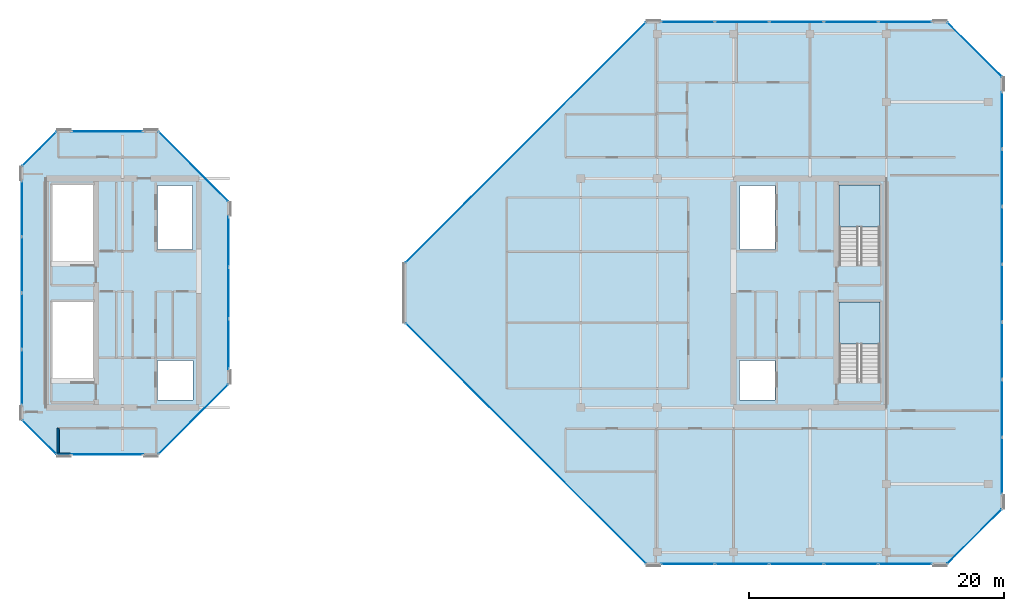
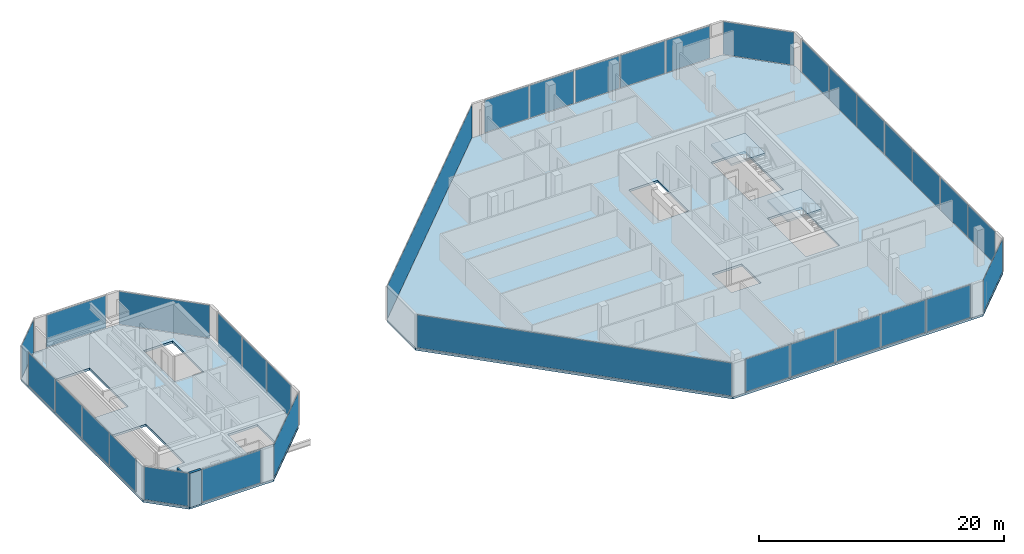
# One storey, part 22 of 28: 34 plates, 4 slabs, 2 walls, 17 elements without a shape of their own.
"""IFC4 building model written with IfcOpenShell, lengths in metres."""

from ifc_helpers import new_model, si_unit, direction, frame, frame_2d, origin, origin_2d, place, context, subcontext, project, spatial, polyline, rectangle, outline, extrude, material, layer, layer_set, type_object, element, aggregate, save


model = new_model("IFC4")

# Units and contexts
model_context = context("Model", 3, precision=1e-05, world=origin(), true_north=direction((0.0, 1.0)))
body_context = subcontext(model_context, "Body", "Model", "MODEL_VIEW")
ifc_project = project(units=[si_unit("LENGTHUNIT", "METRE"), si_unit("AREAUNIT", "SQUARE_METRE"), si_unit("VOLUMEUNIT", "CUBIC_METRE"), si_unit("PLANEANGLEUNIT", "RADIAN"), si_unit("MASSUNIT", "GRAM", prefix="KILO")], contexts=[model_context])

# Site, building, storey
site_placement = place(None, origin())
site = spatial("IfcSite", under=ifc_project, at=site_placement, CompositionType="ELEMENT")
building_placement = place(site_placement, origin())
building = spatial("IfcBuilding", under=site, at=building_placement, Name="Tanjung Sevakor Pilgrim Tower", CompositionType="ELEMENT")
storey_placement = place(building_placement, frame((0.0, 0.0, 257.070068359375)))
storey = spatial("IfcBuildingStorey", under=building, at=storey_placement, Name="L72", CompositionType="ELEMENT", Elevation=257.070068359375)

# Stair, slab
ifc_material_1 = material(Name="Concrete C40/50", Category="concrete")
stair_type = type_object("IfcStairType", Name="STAIR-ST-CR150", PredefinedType="HALF_TURN_STAIR", material=ifc_material_1)
stair_1_placement = place(storey_placement, origin())
stair_1 = element("IfcStair", 1, at=stair_1_placement, inside=storey, type_object=stair_type, Name="L72 East Core Exit Stair 1", PredefinedType="HALF_TURN_STAIR")
ifc_material_2 = material(Name="Concrete C40/50", Category="concrete")
ifc_layer_1 = layer(ifc_material_2, 0.199951171875)
ifc_layer_set_1 = layer_set([ifc_layer_1], Name="SL-LAND-200")
slab_type_1 = type_object("IfcSlabType", Name="SL-LAND-200", PredefinedType="LANDING", material=ifc_layer_set_1)
slab_1_placement = place(storey_placement, frame((0.0, 0.0, 1.614990234375)))
slab_1 = element("IfcSlab", 2, at=slab_1_placement, type_object=slab_type_1, Name="TS-E1 landing 1", PredefinedType="LANDING", context=body_context, shape_type="SweptSolid", body=[
    extrude(outline(polyline([(89.5, 29.60009765625), (89.5, 32.89990234375), (86.300048828125, 32.89990234375), (86.300048828125, 29.60009765625), (89.5, 29.60009765625)])), origin(), (0.0, 0.0, 1.0), 0.199951171875),
])
aggregate(stair_1, [slab_1])

stair_2_placement = place(storey_placement, origin())
stair_2 = element("IfcStair", 3, at=stair_2_placement, inside=storey, type_object=stair_type, Name="L72 East Core Exit Stair 2", PredefinedType="HALF_TURN_STAIR")
slab_2_placement = place(storey_placement, frame((0.0, 0.0, 1.614990234375)))
slab_2 = element("IfcSlab", 4, at=slab_2_placement, type_object=slab_type_1, Name="TS-E2 landing 1", PredefinedType="LANDING", context=body_context, shape_type="SweptSolid", body=[
    extrude(outline(polyline([(89.5, 38.800048828125), (89.5, 42.10009765625), (86.300048828125, 42.10009765625), (86.300048828125, 38.800048828125), (89.5, 38.800048828125)])), origin(), (0.0, 0.0, 1.0), 0.199951171875),
])
aggregate(stair_2, [slab_2])

# Slabs
ifc_material_3 = material(Name="Concrete C40/50", Category="concrete")
ifc_layer_2 = layer(ifc_material_3, 0.219970703125)
ifc_layer_set_2 = layer_set([ifc_layer_2], Name="SL-TWR-220")
slab_type_2 = type_object("IfcSlabType", Name="SL-TWR-220", PredefinedType="FLOOR", material=ifc_layer_set_2)
slab_3_placement = place(storey_placement, frame((0.0, 0.0, -0.219970703125)))
element("IfcSlab", 5, at=slab_3_placement, inside=storey, type_object=slab_type_2, Name="L72 Floor Slab WEST", PredefinedType="FLOOR", context=body_context, shape_type="SweptSolid", body=[
    extrude(outline(polyline([(24.846923828125, 20.8798828125), (32.802978515625, 20.8798828125), (38.3701171875, 26.447021484375), (38.3701171875, 40.753173828125), (32.802978515625, 46.320068359375), (24.846923828125, 46.320068359375), (22.080078125, 43.552978515625), (22.080078125, 23.64697265625), (24.846923828125, 20.8798828125)]), holes=[polyline([(27.699951171875, 26.60009765625), (27.699951171875, 32.89990234375), (24.5, 32.89990234375), (24.5, 26.60009765625), (27.699951171875, 26.60009765625)]), polyline([(27.699951171875, 35.800048828125), (27.699951171875, 42.10009765625), (24.5, 42.10009765625), (24.5, 35.800048828125), (27.699951171875, 35.800048828125)]), polyline([(32.75, 25.199951171875), (35.550048828125, 25.199951171875), (35.550048828125, 28.300048828125), (32.75, 28.300048828125), (32.75, 25.199951171875)]), polyline([(32.75, 37.0), (35.5, 37.0), (35.5, 42.050048828125), (32.75, 42.050048828125), (32.75, 37.0)])]), origin(), (0.0, 0.0, 1.0), 0.219970703125),
])
slab_4_placement = place(storey_placement, frame((0.0, 0.0, -0.219970703125)))
element("IfcSlab", 6, at=slab_4_placement, inside=storey, type_object=slab_type_2, Name="L72 Floor Slab EAST", PredefinedType="FLOOR", context=body_context, shape_type="SweptSolid", body=[
    extrude(outline(polyline([(71.14697265625, 12.280029296875), (94.753173828125, 12.280029296875), (99.1201171875, 16.64697265625), (99.1201171875, 50.552978515625), (94.753173828125, 54.919921875), (71.14697265625, 54.919921875), (52.179931640625, 35.953125), (52.179931640625, 31.246826171875), (71.14697265625, 12.280029296875)]), holes=[polyline([(89.5, 26.60009765625), (89.5, 32.89990234375), (86.300048828125, 32.89990234375), (86.300048828125, 26.60009765625), (89.5, 26.60009765625)]), polyline([(89.5, 35.800048828125), (89.5, 42.10009765625), (86.300048828125, 42.10009765625), (86.300048828125, 35.800048828125), (89.5, 35.800048828125)]), polyline([(78.449951171875, 25.199951171875), (81.25, 25.199951171875), (81.25, 28.300048828125), (78.449951171875, 28.300048828125), (78.449951171875, 25.199951171875)]), polyline([(78.5, 37.0), (81.25, 37.0), (81.25, 42.050048828125), (78.5, 42.050048828125), (78.5, 37.0)])]), origin(), (0.0, 0.0, 1.0), 0.219970703125),
])

# Curtain wall, plate
ifc_material_4 = material(Name="Aluminium 6063-T6 and Low-E Glass", Category="aluminium")
ifc_layer_3 = layer(ifc_material_4, 0.179931640625)
ifc_layer_set_3 = layer_set([ifc_layer_3], Name="CW-SYS-CHAM")
curtain_wall_type_1 = type_object("IfcCurtainWallType", Name="CW-SYS-CHAM", PredefinedType="NOTDEFINED", material=ifc_layer_set_3)
curtain_wall_1_placement = place(storey_placement, origin())
curtain_wall_1 = element("IfcCurtainWall", 7, at=curtain_wall_1_placement, inside=storey, type_object=curtain_wall_type_1, Name="L72 Curtain Wall CW-CHM-L72-WEST-1", PredefinedType="NOTDEFINED")
ifc_material_5 = material(Name="Laminated Low-E Double Glazing", Category="glass")
ifc_layer_4 = layer(ifc_material_5, 0.028076171875)
ifc_layer_set_4 = layer_set([ifc_layer_4], Name="TYPE-CWP-GLZ1")
plate_type_1 = type_object("IfcPlateType", Name="TYPE-CWP-GLZ1", PredefinedType="CURTAIN_PANEL", material=ifc_layer_set_4)
plate_1_placement = place(storey_placement, frame((35.572265625, 23.677734375, 0.06494140625), z_axis=(0.0, 0.0, 1.0), x_axis=(0.707106781187, 0.707106781187, 0.0)))
plate_1 = element("IfcPlate", 8, at=plate_1_placement, type_object=plate_type_1, Name="CW-CHM panel 1.1", PredefinedType="CURTAIN_PANEL", context=body_context, shape_type="SweptSolid", body=[
    extrude(rectangle(XDim=7.698486328125, YDim=0.028076171875, at=origin_2d()), origin(), (0.0, 0.0, 1.0), 3.280029296875),
])
aggregate(curtain_wall_1, [plate_1])

curtain_wall_2_placement = place(storey_placement, origin())
curtain_wall_2 = element("IfcCurtainWall", 9, at=curtain_wall_2_placement, inside=storey, type_object=curtain_wall_type_1, Name="L72 Curtain Wall CW-CHM-L72-WEST-3", PredefinedType="NOTDEFINED")
plate_2_placement = place(storey_placement, frame((35.572265625, 43.522216796875, 0.06494140625), z_axis=(0.0, 0.0, 1.0), x_axis=(-0.707106781187, 0.707106781187, 0.0)))
plate_2 = element("IfcPlate", 10, at=plate_2_placement, type_object=plate_type_1, Name="CW-CHM panel 1.1", PredefinedType="CURTAIN_PANEL", context=body_context, shape_type="SweptSolid", body=[
    extrude(rectangle(XDim=7.698486328125, YDim=0.028076171875, at=origin_2d()), origin(), (0.0, 0.0, 1.0), 3.280029296875),
])
aggregate(curtain_wall_2, [plate_2])

curtain_wall_3_placement = place(storey_placement, origin())
curtain_wall_3 = element("IfcCurtainWall", 11, at=curtain_wall_3_placement, inside=storey, type_object=curtain_wall_type_1, Name="L72 Curtain Wall CW-CHM-L72-WEST-5", PredefinedType="NOTDEFINED")
plate_3_placement = place(storey_placement, frame((23.477783203125, 44.922119140625, 0.06494140625), z_axis=(0.0, 0.0, 1.0), x_axis=(-0.707106781187, -0.707106781187, 0.0)))
plate_3 = element("IfcPlate", 12, at=plate_3_placement, type_object=plate_type_1, Name="CW-CHM panel 1.1", PredefinedType="CURTAIN_PANEL", context=body_context, shape_type="SweptSolid", body=[
    extrude(rectangle(XDim=3.73876953125, YDim=0.028076171875, at=origin_2d()), origin(), (0.0, 0.0, 1.0), 3.280029296875),
])
aggregate(curtain_wall_3, [plate_3])

curtain_wall_4_placement = place(storey_placement, origin())
curtain_wall_4 = element("IfcCurtainWall", 13, at=curtain_wall_4_placement, inside=storey, type_object=curtain_wall_type_1, Name="L72 Curtain Wall CW-CHM-L72-WEST-7", PredefinedType="NOTDEFINED")
plate_4_placement = place(storey_placement, frame((23.477783203125, 22.27783203125, 0.06494140625), z_axis=(0.0, 0.0, 1.0), x_axis=(0.707106781187, -0.707106781187, 0.0)))
plate_4 = element("IfcPlate", 14, at=plate_4_placement, type_object=plate_type_1, Name="CW-CHM panel 1.1", PredefinedType="CURTAIN_PANEL", context=body_context, shape_type="SweptSolid", body=[
    extrude(rectangle(XDim=3.73876953125, YDim=0.028076171875, at=origin_2d()), origin(), (0.0, 0.0, 1.0), 3.280029296875),
])
aggregate(curtain_wall_4, [plate_4])

curtain_wall_5_placement = place(storey_placement, origin())
curtain_wall_5 = element("IfcCurtainWall", 15, at=curtain_wall_5_placement, inside=storey, type_object=curtain_wall_type_1, Name="L72 Curtain Wall CW-CHM-L72-EAST-1", PredefinedType="NOTDEFINED")
plate_5_placement = place(storey_placement, frame((96.922119140625, 14.477783203125, 0.06494140625), z_axis=(0.0, 0.0, 1.0), x_axis=(0.707106781187, 0.707106781187, 0.0)))
plate_5 = element("IfcPlate", 16, at=plate_5_placement, type_object=plate_type_1, Name="CW-CHM panel 1.1", PredefinedType="CURTAIN_PANEL", context=body_context, shape_type="SweptSolid", body=[
    extrude(rectangle(XDim=6.00146484375, YDim=0.028076171875, at=origin_2d()), origin(), (0.0, 0.0, 1.0), 3.280029296875),
])
aggregate(curtain_wall_5, [plate_5])

curtain_wall_6_placement = place(storey_placement, origin())
curtain_wall_6 = element("IfcCurtainWall", 17, at=curtain_wall_6_placement, inside=storey, type_object=curtain_wall_type_1, Name="L72 Curtain Wall CW-CHM-L72-EAST-3", PredefinedType="NOTDEFINED")
plate_6_placement = place(storey_placement, frame((96.922119140625, 52.72216796875, 0.06494140625), z_axis=(0.0, 0.0, 1.0), x_axis=(-0.707106781187, 0.707106781187, 0.0)))
plate_6 = element("IfcPlate", 18, at=plate_6_placement, type_object=plate_type_1, Name="CW-CHM panel 1.1", PredefinedType="CURTAIN_PANEL", context=body_context, shape_type="SweptSolid", body=[
    extrude(rectangle(XDim=6.00146484375, YDim=0.028076171875, at=origin_2d()), origin(), (0.0, 0.0, 1.0), 3.280029296875),
])
aggregate(curtain_wall_6, [plate_6])

curtain_wall_7_placement = place(storey_placement, origin())
curtain_wall_7 = element("IfcCurtainWall", 19, at=curtain_wall_7_placement, inside=storey, type_object=curtain_wall_type_1, Name="L72 Curtain Wall CW-CHM-L72-EAST-5", PredefinedType="NOTDEFINED")
plate_7_placement = place(storey_placement, frame((61.677734375, 45.422119140625, 0.06494140625), z_axis=(0.0, 0.0, 1.0), x_axis=(-0.707106781187, -0.707106781187, 0.0)))
plate_7 = element("IfcPlate", 20, at=plate_7_placement, type_object=plate_type_1, Name="CW-CHM panel 1.1", PredefinedType="CURTAIN_PANEL", context=body_context, shape_type="SweptSolid", body=[
    extrude(rectangle(XDim=26.64892578125, YDim=0.028076171875, at=origin_2d()), origin(), (0.0, 0.0, 1.0), 3.280029296875),
])
aggregate(curtain_wall_7, [plate_7])

curtain_wall_8_placement = place(storey_placement, origin())
curtain_wall_8 = element("IfcCurtainWall", 21, at=curtain_wall_8_placement, inside=storey, type_object=curtain_wall_type_1, Name="L72 Curtain Wall CW-CHM-L72-EAST-7", PredefinedType="NOTDEFINED")
plate_8_placement = place(storey_placement, frame((61.677734375, 21.77783203125, 0.06494140625), z_axis=(0.0, 0.0, 1.0), x_axis=(0.707106781187, -0.707106781187, 0.0)))
plate_8 = element("IfcPlate", 22, at=plate_8_placement, type_object=plate_type_1, Name="CW-CHM panel 1.1", PredefinedType="CURTAIN_PANEL", context=body_context, shape_type="SweptSolid", body=[
    extrude(rectangle(XDim=26.64892578125, YDim=0.028076171875, at=origin_2d()), origin(), (0.0, 0.0, 1.0), 3.280029296875),
])
aggregate(curtain_wall_8, [plate_8])

ifc_material_6 = material(Name="Aluminium 6063-T6 and Low-E Glass", Category="aluminium")
ifc_layer_5 = layer(ifc_material_6, 0.199951171875)
ifc_layer_set_5 = layer_set([ifc_layer_5], Name="CW-SYS-CRNW")
curtain_wall_type_2 = type_object("IfcCurtainWallType", Name="CW-SYS-CRNW", PredefinedType="NOTDEFINED", material=ifc_layer_set_5)
curtain_wall_9_placement = place(storey_placement, origin())
curtain_wall_9 = element("IfcCurtainWall", 23, at=curtain_wall_9_placement, inside=storey, type_object=curtain_wall_type_2, Name="L72 Curtain Wall CW-CRN-L72-WEST-0-1", PredefinedType="NOTDEFINED")
ifc_material_7 = material(Name="Solar-Control Low-E Acoustic Glazing", Category="glass")
ifc_layer_6 = layer(ifc_material_7, 0.031982421875)
ifc_layer_set_6 = layer_set([ifc_layer_6], Name="TYPE-CWP-GLZ2")
plate_type_2 = type_object("IfcPlateType", Name="TYPE-CWP-GLZ2", PredefinedType="CURTAIN_PANEL", material=ifc_layer_set_6)
plate_9_placement = place(storey_placement, frame((28.824951171875, 20.909912109375, 0.079833984375), z_axis=(0.0, 0.0, 1.0), x_axis=(1.0, 0.0, 0.0)))
plate_9 = element("IfcPlate", 24, at=plate_9_placement, type_object=plate_type_2, Name="CW-CRW panel 1.1", PredefinedType="CURTAIN_PANEL", context=body_context, shape_type="SweptSolid", body=[
    extrude(rectangle(XDim=5.598876953125, YDim=0.031982421875, at=origin_2d()), origin(), (0.0, 0.0, 1.0), 3.25),
])
aggregate(curtain_wall_9, [plate_9])

# Curtain wall, plates
curtain_wall_10_placement = place(storey_placement, origin())
curtain_wall_10 = element("IfcCurtainWall", 25, at=curtain_wall_10_placement, inside=storey, type_object=curtain_wall_type_2, Name="L72 Curtain Wall CW-CRN-L72-WEST-2-1", PredefinedType="NOTDEFINED")
plate_10_placement = place(storey_placement, frame((38.340087890625, 29.583740234375, 0.079833984375), z_axis=(0.0, 0.0, 1.0), x_axis=(0.0, 1.0, 0.0)))
plate_10 = element("IfcPlate", 26, at=plate_10_placement, type_object=plate_type_2, Name="CW-CRW panel 1.1", PredefinedType="CURTAIN_PANEL", context=body_context, shape_type="SweptSolid", body=[
    extrude(rectangle(XDim=3.916259765625, YDim=0.031982421875, at=origin_2d()), origin(), (0.0, 0.0, 1.0), 3.25),
])
plate_11_placement = place(storey_placement, frame((38.340087890625, 33.60009765625, 0.079833984375), z_axis=(0.0, 0.0, 1.0), x_axis=(0.0, 1.0, 0.0)))
plate_11 = element("IfcPlate", 27, at=plate_11_placement, type_object=plate_type_2, Name="CW-CRW panel 2.1", PredefinedType="CURTAIN_PANEL", context=body_context, shape_type="SweptSolid", body=[
    extrude(rectangle(XDim=3.956298828125, YDim=0.031982421875, at=origin_2d()), origin(), (0.0, 0.0, 1.0), 3.25),
])
plate_12_placement = place(storey_placement, frame((38.340087890625, 37.6162109375, 0.079833984375), z_axis=(0.0, 0.0, 1.0), x_axis=(0.0, 1.0, 0.0)))
plate_12 = element("IfcPlate", 28, at=plate_12_placement, type_object=plate_type_2, Name="CW-CRW panel 3.1", PredefinedType="CURTAIN_PANEL", context=body_context, shape_type="SweptSolid", body=[
    extrude(rectangle(XDim=3.916259765625, YDim=0.031982421875, at=origin_2d()), origin(), (0.0, 0.0, 1.0), 3.25),
])
aggregate(curtain_wall_10, [plate_10, plate_11, plate_12])

# Curtain wall, plate
curtain_wall_11_placement = place(storey_placement, origin())
curtain_wall_11 = element("IfcCurtainWall", 29, at=curtain_wall_11_placement, inside=storey, type_object=curtain_wall_type_2, Name="L72 Curtain Wall CW-CRN-L72-WEST-4-1", PredefinedType="NOTDEFINED")
plate_13_placement = place(storey_placement, frame((28.824951171875, 46.2900390625, 0.079833984375), z_axis=(0.0, 0.0, 1.0), x_axis=(-1.0, 0.0, 0.0)))
plate_13 = element("IfcPlate", 30, at=plate_13_placement, type_object=plate_type_2, Name="CW-CRW panel 1.1", PredefinedType="CURTAIN_PANEL", context=body_context, shape_type="SweptSolid", body=[
    extrude(rectangle(XDim=5.598876953125, YDim=0.031982421875, at=origin_2d()), origin(), (0.0, 0.0, 1.0), 3.25),
])
aggregate(curtain_wall_11, [plate_13])

# Curtain wall, plates
curtain_wall_12_placement = place(storey_placement, origin())
curtain_wall_12 = element("IfcCurtainWall", 31, at=curtain_wall_12_placement, inside=storey, type_object=curtain_wall_type_2, Name="L72 Curtain Wall CW-CRN-L72-WEST-6-1", PredefinedType="NOTDEFINED")
plate_14_placement = place(storey_placement, frame((22.110107421875, 40.220703125, 0.079833984375), z_axis=(0.0, 0.0, 1.0), x_axis=(0.0, -1.0, 0.0)))
plate_14 = element("IfcPlate", 32, at=plate_14_placement, type_object=plate_type_2, Name="CW-CRW panel 1.1", PredefinedType="CURTAIN_PANEL", context=body_context, shape_type="SweptSolid", body=[
    extrude(rectangle(XDim=4.30712890625, YDim=0.031982421875, at=origin_2d()), origin(), (0.0, 0.0, 1.0), 3.25),
])
plate_15_placement = place(storey_placement, frame((22.110107421875, 35.813720703125, 0.079833984375), z_axis=(0.0, 0.0, 1.0), x_axis=(0.0, -1.0, 0.0)))
plate_15 = element("IfcPlate", 33, at=plate_15_placement, type_object=plate_type_2, Name="CW-CRW panel 2.1", PredefinedType="CURTAIN_PANEL", context=body_context, shape_type="SweptSolid", body=[
    extrude(rectangle(XDim=4.34716796875, YDim=0.031982421875, at=origin_2d()), origin(), (0.0, 0.0, 1.0), 3.25),
])
plate_16_placement = place(storey_placement, frame((22.110107421875, 31.386474609375, 0.079833984375), z_axis=(0.0, 0.0, 1.0), x_axis=(0.0, -1.0, 0.0)))
plate_16 = element("IfcPlate", 34, at=plate_16_placement, type_object=plate_type_2, Name="CW-CRW panel 3.1", PredefinedType="CURTAIN_PANEL", context=body_context, shape_type="SweptSolid", body=[
    extrude(rectangle(XDim=4.34716796875, YDim=0.031982421875, at=origin_2d()), origin(), (0.0, 0.0, 1.0), 3.25),
])
plate_17_placement = place(storey_placement, frame((22.110107421875, 26.979248046875, 0.079833984375), z_axis=(0.0, 0.0, 1.0), x_axis=(0.0, -1.0, 0.0)))
plate_17 = element("IfcPlate", 35, at=plate_17_placement, type_object=plate_type_2, Name="CW-CRW panel 4.1", PredefinedType="CURTAIN_PANEL", context=body_context, shape_type="SweptSolid", body=[
    extrude(rectangle(XDim=4.30712890625, YDim=0.031982421875, at=origin_2d()), origin(), (0.0, 0.0, 1.0), 3.25),
])
aggregate(curtain_wall_12, [plate_14, plate_15, plate_16, plate_17])

ifc_material_8 = material(Name="Aluminium 6063-T6 and Low-E Glass", Category="aluminium")
ifc_layer_7 = layer(ifc_material_8, 0.219970703125)
ifc_layer_set_7 = layer_set([ifc_layer_7], Name="CW-SYS-CRNE")
curtain_wall_type_3 = type_object("IfcCurtainWallType", Name="CW-SYS-CRNE", PredefinedType="NOTDEFINED", material=ifc_layer_set_7)
curtain_wall_13_placement = place(storey_placement, origin())
curtain_wall_13 = element("IfcCurtainWall", 36, at=curtain_wall_13_placement, inside=storey, type_object=curtain_wall_type_3, Name="L72 Curtain Wall CW-CRN-L72-EAST-0-1", PredefinedType="NOTDEFINED")
plate_18_placement = place(storey_placement, frame((74.406494140625, 12.31005859375, 0.079833984375), z_axis=(0.0, 0.0, 1.0), x_axis=(1.0, 0.0, 0.0)))
plate_18 = element("IfcPlate", 37, at=plate_18_placement, type_object=plate_type_2, Name="CW-CRE panel 1.1", PredefinedType="CURTAIN_PANEL", context=body_context, shape_type="SweptSolid", body=[
    extrude(rectangle(XDim=4.161865234375, YDim=0.031982421875, at=origin_2d()), origin(), (0.0, 0.0, 1.0), 3.25),
])
plate_19_placement = place(storey_placement, frame((78.668212890625, 12.31005859375, 0.079833984375), z_axis=(0.0, 0.0, 1.0), x_axis=(1.0, 0.0, 0.0)))
plate_19 = element("IfcPlate", 38, at=plate_19_placement, type_object=plate_type_2, Name="CW-CRE panel 2.1", PredefinedType="CURTAIN_PANEL", context=body_context, shape_type="SweptSolid", body=[
    extrude(rectangle(XDim=4.20166015625, YDim=0.031982421875, at=origin_2d()), origin(), (0.0, 0.0, 1.0), 3.25),
])
plate_20_placement = place(storey_placement, frame((82.949951171875, 12.31005859375, 0.079833984375), z_axis=(0.0, 0.0, 1.0), x_axis=(1.0, 0.0, 0.0)))
plate_20 = element("IfcPlate", 39, at=plate_20_placement, type_object=plate_type_2, Name="CW-CRE panel 3.1", PredefinedType="CURTAIN_PANEL", context=body_context, shape_type="SweptSolid", body=[
    extrude(rectangle(XDim=4.20166015625, YDim=0.031982421875, at=origin_2d()), origin(), (0.0, 0.0, 1.0), 3.25),
])
plate_21_placement = place(storey_placement, frame((87.231689453125, 12.31005859375, 0.079833984375), z_axis=(0.0, 0.0, 1.0), x_axis=(1.0, 0.0, 0.0)))
plate_21 = element("IfcPlate", 40, at=plate_21_placement, type_object=plate_type_2, Name="CW-CRE panel 4.1", PredefinedType="CURTAIN_PANEL", context=body_context, shape_type="SweptSolid", body=[
    extrude(rectangle(XDim=4.20166015625, YDim=0.031982421875, at=origin_2d()), origin(), (0.0, 0.0, 1.0), 3.25),
])
plate_22_placement = place(storey_placement, frame((91.493408203125, 12.31005859375, 0.079833984375), z_axis=(0.0, 0.0, 1.0), x_axis=(1.0, 0.0, 0.0)))
plate_22 = element("IfcPlate", 41, at=plate_22_placement, type_object=plate_type_2, Name="CW-CRE panel 5.1", PredefinedType="CURTAIN_PANEL", context=body_context, shape_type="SweptSolid", body=[
    extrude(rectangle(XDim=4.161865234375, YDim=0.031982421875, at=origin_2d()), origin(), (0.0, 0.0, 1.0), 3.25),
])
aggregate(curtain_wall_13, [plate_18, plate_19, plate_20, plate_21, plate_22])

curtain_wall_14_placement = place(storey_placement, origin())
curtain_wall_14 = element("IfcCurtainWall", 42, at=curtain_wall_14_placement, inside=storey, type_object=curtain_wall_type_3, Name="L72 Curtain Wall CW-CRN-L72-EAST-2-1", PredefinedType="NOTDEFINED")
plate_23_placement = place(storey_placement, frame((99.090087890625, 20.030517578125, 0.079833984375), z_axis=(0.0, 0.0, 1.0), x_axis=(0.0, 1.0, 0.0)))
plate_23 = element("IfcPlate", 43, at=plate_23_placement, type_object=plate_type_2, Name="CW-CRE panel 1.1", PredefinedType="CURTAIN_PANEL", context=body_context, shape_type="SweptSolid", body=[
    extrude(rectangle(XDim=4.409912109375, YDim=0.031982421875, at=origin_2d()), origin(), (0.0, 0.0, 1.0), 3.25),
])
plate_24_placement = place(storey_placement, frame((99.090087890625, 24.540283203125, 0.079833984375), z_axis=(0.0, 0.0, 1.0), x_axis=(0.0, 1.0, 0.0)))
plate_24 = element("IfcPlate", 44, at=plate_24_placement, type_object=plate_type_2, Name="CW-CRE panel 2.1", PredefinedType="CURTAIN_PANEL", context=body_context, shape_type="SweptSolid", body=[
    extrude(rectangle(XDim=4.44970703125, YDim=0.031982421875, at=origin_2d()), origin(), (0.0, 0.0, 1.0), 3.25),
])
plate_25_placement = place(storey_placement, frame((99.090087890625, 29.070068359375, 0.079833984375), z_axis=(0.0, 0.0, 1.0), x_axis=(0.0, 1.0, 0.0)))
plate_25 = element("IfcPlate", 45, at=plate_25_placement, type_object=plate_type_2, Name="CW-CRE panel 3.1", PredefinedType="CURTAIN_PANEL", context=body_context, shape_type="SweptSolid", body=[
    extrude(rectangle(XDim=4.44970703125, YDim=0.031982421875, at=origin_2d()), origin(), (0.0, 0.0, 1.0), 3.25),
])
plate_26_placement = place(storey_placement, frame((99.090087890625, 33.60009765625, 0.079833984375), z_axis=(0.0, 0.0, 1.0), x_axis=(0.0, 1.0, 0.0)))
plate_26 = element("IfcPlate", 46, at=plate_26_placement, type_object=plate_type_2, Name="CW-CRE panel 4.1", PredefinedType="CURTAIN_PANEL", context=body_context, shape_type="SweptSolid", body=[
    extrude(rectangle(XDim=4.44970703125, YDim=0.031982421875, at=origin_2d()), origin(), (0.0, 0.0, 1.0), 3.25),
])
plate_27_placement = place(storey_placement, frame((99.090087890625, 38.1298828125, 0.079833984375), z_axis=(0.0, 0.0, 1.0), x_axis=(0.0, 1.0, 0.0)))
plate_27 = element("IfcPlate", 47, at=plate_27_placement, type_object=plate_type_2, Name="CW-CRE panel 5.1", PredefinedType="CURTAIN_PANEL", context=body_context, shape_type="SweptSolid", body=[
    extrude(rectangle(XDim=4.44970703125, YDim=0.031982421875, at=origin_2d()), origin(), (0.0, 0.0, 1.0), 3.25),
])
plate_28_placement = place(storey_placement, frame((99.090087890625, 42.65966796875, 0.079833984375), z_axis=(0.0, 0.0, 1.0), x_axis=(0.0, 1.0, 0.0)))
plate_28 = element("IfcPlate", 48, at=plate_28_placement, type_object=plate_type_2, Name="CW-CRE panel 6.1", PredefinedType="CURTAIN_PANEL", context=body_context, shape_type="SweptSolid", body=[
    extrude(rectangle(XDim=4.44970703125, YDim=0.031982421875, at=origin_2d()), origin(), (0.0, 0.0, 1.0), 3.25),
])
plate_29_placement = place(storey_placement, frame((99.090087890625, 47.16943359375, 0.079833984375), z_axis=(0.0, 0.0, 1.0), x_axis=(0.0, 1.0, 0.0)))
plate_29 = element("IfcPlate", 49, at=plate_29_placement, type_object=plate_type_2, Name="CW-CRE panel 7.1", PredefinedType="CURTAIN_PANEL", context=body_context, shape_type="SweptSolid", body=[
    extrude(rectangle(XDim=4.409912109375, YDim=0.031982421875, at=origin_2d()), origin(), (0.0, 0.0, 1.0), 3.25),
])
aggregate(curtain_wall_14, [plate_23, plate_24, plate_25, plate_26, plate_27, plate_28, plate_29])

curtain_wall_15_placement = place(storey_placement, origin())
curtain_wall_15 = element("IfcCurtainWall", 50, at=curtain_wall_15_placement, inside=storey, type_object=curtain_wall_type_3, Name="L72 Curtain Wall CW-CRN-L72-EAST-4-1", PredefinedType="NOTDEFINED")
plate_30_placement = place(storey_placement, frame((91.493408203125, 54.889892578125, 0.079833984375), z_axis=(0.0, 0.0, 1.0), x_axis=(-1.0, 0.0, 0.0)))
plate_30 = element("IfcPlate", 51, at=plate_30_placement, type_object=plate_type_2, Name="CW-CRE panel 1.1", PredefinedType="CURTAIN_PANEL", context=body_context, shape_type="SweptSolid", body=[
    extrude(rectangle(XDim=4.161865234375, YDim=0.031982421875, at=origin_2d()), origin(), (0.0, 0.0, 1.0), 3.25),
])
plate_31_placement = place(storey_placement, frame((87.231689453125, 54.889892578125, 0.079833984375), z_axis=(0.0, 0.0, 1.0), x_axis=(-1.0, 0.0, 0.0)))
plate_31 = element("IfcPlate", 52, at=plate_31_placement, type_object=plate_type_2, Name="CW-CRE panel 2.1", PredefinedType="CURTAIN_PANEL", context=body_context, shape_type="SweptSolid", body=[
    extrude(rectangle(XDim=4.20166015625, YDim=0.031982421875, at=origin_2d()), origin(), (0.0, 0.0, 1.0), 3.25),
])
plate_32_placement = place(storey_placement, frame((82.949951171875, 54.889892578125, 0.079833984375), z_axis=(0.0, 0.0, 1.0), x_axis=(-1.0, 0.0, 0.0)))
plate_32 = element("IfcPlate", 53, at=plate_32_placement, type_object=plate_type_2, Name="CW-CRE panel 3.1", PredefinedType="CURTAIN_PANEL", context=body_context, shape_type="SweptSolid", body=[
    extrude(rectangle(XDim=4.20166015625, YDim=0.031982421875, at=origin_2d()), origin(), (0.0, 0.0, 1.0), 3.25),
])
plate_33_placement = place(storey_placement, frame((78.668212890625, 54.889892578125, 0.079833984375), z_axis=(0.0, 0.0, 1.0), x_axis=(-1.0, 0.0, 0.0)))
plate_33 = element("IfcPlate", 54, at=plate_33_placement, type_object=plate_type_2, Name="CW-CRE panel 4.1", PredefinedType="CURTAIN_PANEL", context=body_context, shape_type="SweptSolid", body=[
    extrude(rectangle(XDim=4.20166015625, YDim=0.031982421875, at=origin_2d()), origin(), (0.0, 0.0, 1.0), 3.25),
])
plate_34_placement = place(storey_placement, frame((74.406494140625, 54.889892578125, 0.079833984375), z_axis=(0.0, 0.0, 1.0), x_axis=(-1.0, 0.0, 0.0)))
plate_34 = element("IfcPlate", 55, at=plate_34_placement, type_object=plate_type_2, Name="CW-CRE panel 5.1", PredefinedType="CURTAIN_PANEL", context=body_context, shape_type="SweptSolid", body=[
    extrude(rectangle(XDim=4.161865234375, YDim=0.031982421875, at=origin_2d()), origin(), (0.0, 0.0, 1.0), 3.25),
])
aggregate(curtain_wall_15, [plate_30, plate_31, plate_32, plate_33, plate_34])

# Walls
ifc_material_9 = material(Name="Concrete C40/50", Category="concrete")
ifc_layer_8 = layer(ifc_material_9, 0.14990234375)
ifc_layer_set_8 = layer_set([ifc_layer_8], Name="WT-COMP-150")
wall_type_1 = type_object("IfcWallType", Name="WT-COMP-150", PredefinedType="SOLIDWALL", material=ifc_layer_set_8)
wall_1_placement = place(storey_placement, frame((24.949951171875, 20.919921875, 0.0), z_axis=(0.0, 0.0, 1.0), x_axis=(0.0, 1.0, 0.0)))
element("IfcWall", 56, at=wall_1_placement, inside=storey, type_object=wall_type_1, Name="L72 Partition IW-L72-034", PredefinedType="SOLIDWALL", context=body_context, shape_type="SweptSolid", body=[
    extrude(rectangle(XDim=2.06005859375, YDim=0.14990234375, at=frame_2d((1.030029296875, 0.0))), origin(), (0.0, 0.0, 1.0), 2.6298828125),
])
ifc_material_10 = material(Name="Precast concrete C45/55", Category="concrete")
ifc_layer_9 = layer(ifc_material_10, 0.219970703125)
ifc_layer_set_9 = layer_set([ifc_layer_9], Name="WT-EW-STN4")
wall_type_2 = type_object("IfcWallType", Name="WT-EW-STN4", PredefinedType="SOLIDWALL", material=ifc_layer_set_9)
wall_2_placement = place(storey_placement, frame((24.845703125, 20.909912109375, 0.0), z_axis=(0.0, 0.0, 1.0), x_axis=(1.0, 0.0, 0.0)))
element("IfcWall", 57, at=wall_2_placement, inside=storey, type_object=wall_type_2, Name="L72 WEST Crown Pier 0-1A", PredefinedType="SOLIDWALL", context=body_context, shape_type="SweptSolid", body=[
    extrude(rectangle(XDim=1.099853515625, YDim=0.219970703125, at=frame_2d((0.5498046875, 0.0))), origin(), (0.0, 0.0, 1.0), 3.409912109375),
])

save(model, "model.ifc")
